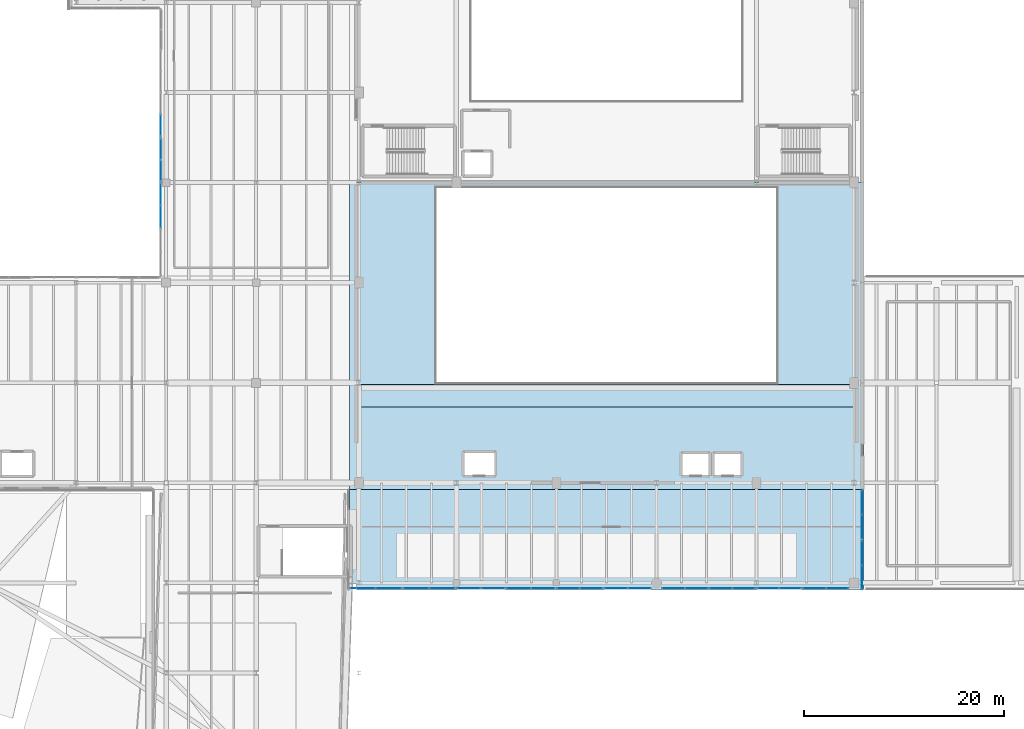
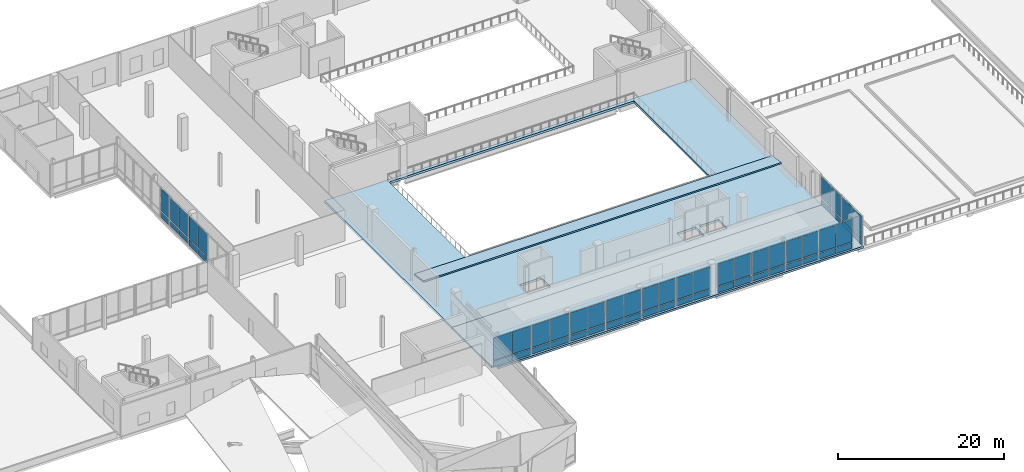
# One storey, part 26 of 41: 58 plates, 3 slabs, 15 elements without a shape of their own.
"""IFC4 building model written with IfcOpenShell, lengths in metres."""

import ifcopenshell
import ifcopenshell.guid

model = None  # the IFC model being written
_history = None  # IfcOwnerHistory: only IFC2X3 demands one
_inside = {}  # id of a spatial element -> (the spatial element, [elements in it])
_under = {}  # id of a project, library or spatial element -> (it, [spatial elements below it])
_declared = {}  # id of a project -> (the project, [libraries it declares])
_typed = {}  # id of a type object -> (the type object, [elements of that type])
_made_of = {}  # id of a material, layer set ... -> (it, [elements and type objects made of it])


def new_model(schema):
    """Start an empty IFC model of exactly this schema.

    Asked for "IFC4X3", IfcOpenShell would pick the latest addendum, in which some entities
    have other attributes; the version numbers below select the first issue.
    IFC2X3 requires an IfcOwnerHistory on every rooted entity: one is made here for all.
    """
    global model, _history
    if schema == "IFC4X3":
        model = ifcopenshell.file(schema_version=(4, 3, 0, 0))
    else:
        model = ifcopenshell.file(schema=schema)
    _inside.clear()
    _under.clear()
    _declared.clear()
    _typed.clear()
    _made_of.clear()
    _history = None
    if model.schema == "IFC2X3":
        org = make("IfcOrganization", Name="unknown")
        user = make(
            "IfcPersonAndOrganization",
            ThePerson=make("IfcPerson", FamilyName="unknown"),
            TheOrganization=org,
        )
        app = make(
            "IfcApplication",
            ApplicationDeveloper=org,
            Version="unknown",
            ApplicationFullName="unknown",
            ApplicationIdentifier="unknown",
        )
        _history = make(
            "IfcOwnerHistory",
            OwningUser=user,
            OwningApplication=app,
            ChangeAction="ADDED",
            CreationDate=0,
        )
    return model


def make(cls, **values):
    """One entity of the class cls with the attributes given. An attribute that is None is left unset."""
    return model.create_entity(
        cls, **{name: value for name, value in values.items() if value is not None}
    )


def rooted(cls, **values):
    """An entity with a GlobalId (a new one), such as an element, a storey or a relation."""
    return make(cls, GlobalId=ifcopenshell.guid.new(), OwnerHistory=_history, **values)


def si_unit(unit_type, name, prefix=None):
    """IfcSIUnit, for example si_unit("LENGTHUNIT", "METRE", prefix="MILLI")."""
    return make("IfcSIUnit", UnitType=unit_type, Prefix=prefix, Name=name)


def assignment(units):
    """IfcUnitAssignment: the units of a project."""
    return None if units is None else make("IfcUnitAssignment", Units=units)


def point(xyz):
    """IfcCartesianPoint."""
    return None if xyz is None else make("IfcCartesianPoint", Coordinates=xyz)


def direction(xyz):
    """IfcDirection."""
    return None if xyz is None else make("IfcDirection", DirectionRatios=xyz)


def frame(location, z_axis=None, x_axis=None):
    """IfcAxis2Placement3D, a coordinate frame: its origin and axes. An axis left out is left unset."""
    return make(
        "IfcAxis2Placement3D",
        Location=point(location),
        Axis=direction(z_axis),
        RefDirection=direction(x_axis),
    )


def frame_2d(location, x_axis=None):
    """IfcAxis2Placement2D, a coordinate frame in the plane: its origin and x axis."""
    return make(
        "IfcAxis2Placement2D", Location=point(location), RefDirection=direction(x_axis)
    )


def origin():
    """The frame at (0, 0, 0) with its axes left unset."""
    return frame((0.0, 0.0, 0.0))


def origin_2d():
    """The frame at (0, 0) in the plane with its x axis left unset."""
    return frame_2d((0.0, 0.0))


def place(relative_to, where):
    """IfcLocalPlacement: puts the frame where relative to a parent placement (None: the world)."""
    return make(
        "IfcLocalPlacement", PlacementRelTo=relative_to, RelativePlacement=where
    )


def context(
    kind, dimensions, precision=None, world=None, true_north=None, identifier=None
):
    """IfcGeometricRepresentationContext, for example the 3D "Model" context."""
    return make(
        "IfcGeometricRepresentationContext",
        ContextIdentifier=identifier,
        ContextType=kind,
        CoordinateSpaceDimension=dimensions,
        Precision=precision,
        WorldCoordinateSystem=world,
        TrueNorth=true_north,
    )


def subcontext(parent, identifier, kind, view, scale=None):
    """IfcGeometricRepresentationSubContext, for example "Body" below "Model"."""
    return make(
        "IfcGeometricRepresentationSubContext",
        ContextIdentifier=identifier,
        ContextType=kind,
        ParentContext=parent,
        TargetScale=scale,
        TargetView=view,
    )


def project(units=None, contexts=None):
    """IfcProject with its units and contexts."""
    return rooted(
        "IfcProject",
        Name="project",
        RepresentationContexts=contexts,
        UnitsInContext=assignment(units),
    )


def spatial(cls, under=None, at=None, **own):
    """A site, building, storey or space (cls), placed at a placement, below another one or the project."""
    s = rooted(cls, ObjectPlacement=at, **own)
    if under is not None:
        _under.setdefault(under.id(), (under, []))[1].append(s)
    return s


def polyline(points):
    """IfcPolyline through the points."""
    return make("IfcPolyline", Points=[point(p) for p in points])


def profile(cls, at=None, kind="AREA", **sizes):
    """A parametric profile (cls). Its sizes go by their IFC names, for example OverallWidth=200.0."""
    return make(cls, ProfileType=kind, Position=at, **sizes)


def rectangle(**sizes):
    """IfcRectangleProfileDef."""
    return profile("IfcRectangleProfileDef", **sizes)


def outline(outer, holes=None, kind="AREA"):
    """IfcArbitraryClosedProfileDef: a profile drawn as a closed curve; with holes, ...WithVoids."""
    if holes is None:
        return make("IfcArbitraryClosedProfileDef", ProfileType=kind, OuterCurve=outer)
    return make(
        "IfcArbitraryProfileDefWithVoids",
        ProfileType=kind,
        OuterCurve=outer,
        InnerCurves=holes,
    )


def extrude(swept, where, along, depth):
    """IfcExtrudedAreaSolid: the profile swept, set in the frame where, extruded along a direction by depth."""
    return make(
        "IfcExtrudedAreaSolid",
        SweptArea=swept,
        Position=where,
        ExtrudedDirection=direction(along),
        Depth=depth,
    )


def shape(context_of_items, identifier, shape_type, items):
    """IfcShapeRepresentation: the items that make up one representation, for example the "Body"."""
    return make(
        "IfcShapeRepresentation",
        ContextOfItems=context_of_items,
        RepresentationIdentifier=identifier,
        RepresentationType=shape_type,
        Items=items,
    )


def material(Name=None, Category=None):
    """IfcMaterial."""
    return make("IfcMaterial", Name=Name, Category=Category)


def layer(
    of_material, thickness, ventilated=None, Name=None, Category=None, Priority=None
):
    """IfcMaterialLayer: one layer of a wall or slab, of a material (None: an air gap)."""
    return make(
        "IfcMaterialLayer",
        Material=of_material,
        LayerThickness=thickness,
        IsVentilated=ventilated,
        Name=Name,
        Category=Category,
        Priority=Priority,
    )


def layer_set(layers, Name=None):
    """IfcMaterialLayerSet."""
    return make("IfcMaterialLayerSet", MaterialLayers=layers, LayerSetName=Name)


def made_of(thing, what):
    """Note that an element or type object is made of a material, layer set ...; save() writes the relation."""
    if what is not None:
        _made_of.setdefault(what.id(), (what, []))[1].append(thing)
    return thing


def type_object(cls, material=None, **own):
    """A type object (cls), such as IfcWallType, which elements share."""
    return made_of(rooted(cls, **own), material)


def element(
    cls,
    number,
    at=None,
    inside=None,
    cuts=None,
    type_object=None,
    material=None,
    context=None,
    identifier="Body",
    shape_type=None,
    held_by="IfcProductDefinitionShape",
    body=None,
    shapes=None,
    **own,
):
    """One element of the class cls, such as IfcWall. Its Tag is "e" and its number.

    at: its placement. inside: the storey or other place that contains it. cuts: it is an
    opening in that element (IfcRelVoidsElement). A single representation is given by context,
    identifier, shape_type and body (its items); several are given by shapes. held_by: the class
    of the entity that holds the representations. save() writes the other relations.
    """
    e = rooted(cls, Tag="e%d" % number, ObjectPlacement=at, **own)
    if body is not None:
        shapes = [shape(context, identifier, shape_type, body)]
    if shapes is not None:
        e.Representation = make(held_by, Representations=shapes)
    if inside is not None:
        _inside.setdefault(inside.id(), (inside, []))[1].append(e)
    if cuts is not None:
        rooted(
            "IfcRelVoidsElement", RelatingBuildingElement=cuts, RelatedOpeningElement=e
        )
    if type_object is not None:
        _typed.setdefault(type_object.id(), (type_object, []))[1].append(e)
    return made_of(e, material)


def aggregate(whole, parts):
    """IfcRelAggregates: a whole, such as a stair, and the parts it consists of."""
    return rooted("IfcRelAggregates", RelatingObject=whole, RelatedObjects=parts)


def save(model, path):
    """Write the relations noted so far, then the file.

    IfcRelAggregates (storeys below a building ...), IfcRelContainedInSpatialStructure (elements
    in a storey), IfcRelDefinesByType, IfcRelAssociatesMaterial and IfcRelDeclares: one each for
    every whole, place, type object, material and project.
    """
    for whole, parts in _under.values():
        aggregate(whole, parts)
    for where, things in _inside.values():
        rooted(
            "IfcRelContainedInSpatialStructure",
            RelatedElements=things,
            RelatingStructure=where,
        )
    for kind, things in _typed.values():
        rooted("IfcRelDefinesByType", RelatedObjects=things, RelatingType=kind)
    for what, things in _made_of.values():
        rooted("IfcRelAssociatesMaterial", RelatedObjects=things, RelatingMaterial=what)
    for by, libraries in _declared.values():
        rooted("IfcRelDeclares", RelatingContext=by, RelatedDefinitions=libraries)
    model.write(path)


model = new_model("IFC4")

# Units and contexts
model_context = context("Model", 3, precision=1e-05, world=origin(), true_north=direction((0.0, 1.0)))
body_context = subcontext(model_context, "Body", "Model", "MODEL_VIEW")
ifc_project = project(units=[si_unit("LENGTHUNIT", "METRE"), si_unit("AREAUNIT", "SQUARE_METRE"), si_unit("VOLUMEUNIT", "CUBIC_METRE"), si_unit("PLANEANGLEUNIT", "RADIAN"), si_unit("MASSUNIT", "GRAM", prefix="KILO")], contexts=[model_context])

# Site, building, storey
site_placement = place(None, origin())
site = spatial("IfcSite", under=ifc_project, at=site_placement, CompositionType="ELEMENT")
building_placement = place(site_placement, origin())
building = spatial("IfcBuilding", under=site, at=building_placement, Name="Trimount Lyric Opera House", CompositionType="ELEMENT")
storey_placement = place(building_placement, frame((0.0, 0.0, 20.0)))
storey = spatial("IfcBuildingStorey", under=building, at=storey_placement, Name="L04", CompositionType="ELEMENT", Elevation=20.0)

# Curtain wall, plates
ifc_material_1 = material(Name="Thermally Broken Aluminium and Low-E Glass", Category="aluminium")
curtain_wall_type_1 = type_object("IfcCurtainWallType", Name="CW-03", PredefinedType="NOTDEFINED", material=ifc_material_1)
curtain_wall_1_placement = place(storey_placement, origin())
curtain_wall_1 = element("IfcCurtainWall", 1, at=curtain_wall_1_placement, inside=storey, type_object=curtain_wall_type_1, Name="L04 curtain wall 314", PredefinedType="NOTDEFINED")
ifc_material_2 = material(Name="Triple Low-E Acoustic Laminated Glass", Category="glass")
ifc_layer_1 = layer(ifc_material_2, 0.035888671875)
ifc_layer_set_1 = layer_set([ifc_layer_1], Name="CWP-01")
plate_type_1 = type_object("IfcPlateType", Name="CWP-01", PredefinedType="CURTAIN_PANEL", material=ifc_layer_set_1)
plate_1_placement = place(storey_placement, frame((44.4599609375, 80.58740234375, 0.114990234375), z_axis=(0.0, 0.0, 1.0), x_axis=(0.0, 1.0, 0.0)))
plate_1 = element("IfcPlate", 2, at=plate_1_placement, type_object=plate_type_1, Name="CW-03 panel 1.1", PredefinedType="CURTAIN_PANEL", context=body_context, shape_type="SweptSolid", body=[
    extrude(rectangle(XDim=2.195068359375, YDim=0.035888671875, at=origin_2d()), origin(), (0.0, 0.0, 1.0), 0.87744140625),
])
plate_2_placement = place(storey_placement, frame((44.4599609375, 82.842529296875, 0.114990234375), z_axis=(0.0, 0.0, 1.0), x_axis=(0.0, 1.0, 0.0)))
plate_2 = element("IfcPlate", 3, at=plate_2_placement, type_object=plate_type_1, Name="CW-03 panel 2.1", PredefinedType="CURTAIN_PANEL", context=body_context, shape_type="SweptSolid", body=[
    extrude(rectangle(XDim=2.195068359375, YDim=0.035888671875, at=origin_2d()), origin(), (0.0, 0.0, 1.0), 0.87744140625),
])

curtain_wall_2_placement = place(storey_placement, origin())
curtain_wall_2 = element("IfcCurtainWall", 4, at=curtain_wall_2_placement, inside=storey, type_object=curtain_wall_type_1, Name="L04 curtain wall 315", PredefinedType="NOTDEFINED")
plate_3_placement = place(storey_placement, frame((44.4599609375, 85.2099609375, 0.159912109375), z_axis=(0.0, 0.0, 1.0), x_axis=(0.0, 1.0, 0.0)))
plate_3 = element("IfcPlate", 5, at=plate_3_placement, type_object=plate_type_1, Name="CW-03 panel 1.1", PredefinedType="CURTAIN_PANEL", context=body_context, shape_type="SweptSolid", body=[
    extrude(rectangle(XDim=2.10009765625, YDim=0.035888671875, at=origin_2d()), origin(), (0.0, 0.0, 1.0), 0.81005859375),
])
plate_4_placement = place(storey_placement, frame((44.4599609375, 87.3798828125, 0.159912109375), z_axis=(0.0, 0.0, 1.0), x_axis=(0.0, 1.0, 0.0)))
plate_4 = element("IfcPlate", 6, at=plate_4_placement, type_object=plate_type_1, Name="CW-03 panel 2.1", PredefinedType="CURTAIN_PANEL", context=body_context, shape_type="SweptSolid", body=[
    extrude(rectangle(XDim=2.10009765625, YDim=0.035888671875, at=origin_2d()), origin(), (0.0, 0.0, 1.0), 0.81005859375),
])

# Curtain wall, plate
curtain_wall_3_placement = place(storey_placement, origin())
curtain_wall_3 = element("IfcCurtainWall", 7, at=curtain_wall_3_placement, inside=storey, type_object=curtain_wall_type_1, Name="L04 curtain wall 316", PredefinedType="NOTDEFINED")
plate_5_placement = place(storey_placement, frame((44.4599609375, 89.708740234375, 0.13525390625), z_axis=(0.0, 0.0, 1.0), x_axis=(0.0, 1.0, 0.0)))
plate_5 = element("IfcPlate", 8, at=plate_5_placement, type_object=plate_type_1, Name="CW-03 panel 1.1", PredefinedType="CURTAIN_PANEL", context=body_context, shape_type="SweptSolid", body=[
    extrude(rectangle(XDim=2.107421875, YDim=0.035888671875, at=origin_2d()), origin(), (0.0, 0.0, 1.0), 0.847412109375),
])

# Curtain wall, plates
ifc_material_3 = material(Name="Thermally Broken Aluminium and Low-E Glass", Category="aluminium")
curtain_wall_type_2 = type_object("IfcCurtainWallType", Name="CW-05", PredefinedType="NOTDEFINED", material=ifc_material_3)
curtain_wall_4_placement = place(storey_placement, origin())
curtain_wall_4 = element("IfcCurtainWall", 9, at=curtain_wall_4_placement, inside=storey, type_object=curtain_wall_type_2, Name="L04 curtain wall 321", PredefinedType="NOTDEFINED")
plate_6_placement = place(storey_placement, frame((114.5400390625, 52.052490234375, 0.159912109375), z_axis=(0.0, 0.0, 1.0), x_axis=(0.0, -1.0, 0.0)))
plate_6 = element("IfcPlate", 10, at=plate_6_placement, type_object=plate_type_1, Name="CW-05 panel 1.1", PredefinedType="CURTAIN_PANEL", context=body_context, shape_type="SweptSolid", body=[
    extrude(rectangle(XDim=2.39501953125, YDim=0.035888671875, at=origin_2d()), origin(), (0.0, 0.0, 1.0), 0.81005859375),
])
plate_7_placement = place(storey_placement, frame((114.5400390625, 49.58740234375, 0.159912109375), z_axis=(0.0, 0.0, 1.0), x_axis=(0.0, -1.0, 0.0)))
plate_7 = element("IfcPlate", 11, at=plate_7_placement, type_object=plate_type_1, Name="CW-05 panel 2.1", PredefinedType="CURTAIN_PANEL", context=body_context, shape_type="SweptSolid", body=[
    extrude(rectangle(XDim=2.39501953125, YDim=0.035888671875, at=origin_2d()), origin(), (0.0, 0.0, 1.0), 0.81005859375),
])

curtain_wall_5_placement = place(storey_placement, origin())
curtain_wall_5 = element("IfcCurtainWall", 12, at=curtain_wall_5_placement, inside=storey, type_object=curtain_wall_type_2, Name="L04 curtain wall 322", PredefinedType="NOTDEFINED")
plate_8_placement = place(storey_placement, frame((114.5400390625, 46.986328125, 0.13525390625), z_axis=(0.0, 0.0, 1.0), x_axis=(0.0, -1.0, 0.0)))
plate_8 = element("IfcPlate", 13, at=plate_8_placement, type_object=plate_type_1, Name="CW-05 panel 1.1", PredefinedType="CURTAIN_PANEL", context=body_context, shape_type="SweptSolid", body=[
    extrude(rectangle(XDim=2.357421875, YDim=0.035888671875, at=origin_2d()), origin(), (0.0, 0.0, 1.0), 0.847412109375),
])
plate_9_placement = place(storey_placement, frame((114.5400390625, 44.563720703125, 0.13525390625), z_axis=(0.0, 0.0, 1.0), x_axis=(0.0, -1.0, 0.0)))
plate_9 = element("IfcPlate", 14, at=plate_9_placement, type_object=plate_type_1, Name="CW-05 panel 2.1", PredefinedType="CURTAIN_PANEL", context=body_context, shape_type="SweptSolid", body=[
    extrude(rectangle(XDim=2.357421875, YDim=0.035888671875, at=origin_2d()), origin(), (0.0, 0.0, 1.0), 0.847412109375),
])

curtain_wall_6_placement = place(storey_placement, origin())
curtain_wall_6 = element("IfcCurtainWall", 15, at=curtain_wall_6_placement, inside=storey, type_object=curtain_wall_type_2, Name="L04 curtain wall 323", PredefinedType="NOTDEFINED")
plate_10_placement = place(storey_placement, frame((112.070068359375, 43.4599609375, 0.114990234375), z_axis=(0.0, 0.0, 1.0), x_axis=(-1.0, 0.0, 0.0)))
plate_10 = element("IfcPlate", 16, at=plate_10_placement, type_object=plate_type_1, Name="CW-05 panel 1.1", PredefinedType="CURTAIN_PANEL", context=body_context, shape_type="SweptSolid", body=[
    extrude(rectangle(XDim=2.219970703125, YDim=0.035888671875, at=origin_2d()), origin(), (0.0, 0.0, 1.0), 0.87744140625),
])
plate_11_placement = place(storey_placement, frame((109.7900390625, 43.4599609375, 0.114990234375), z_axis=(0.0, 0.0, 1.0), x_axis=(-1.0, 0.0, 0.0)))
plate_11 = element("IfcPlate", 17, at=plate_11_placement, type_object=plate_type_1, Name="CW-05 panel 2.1", PredefinedType="CURTAIN_PANEL", context=body_context, shape_type="SweptSolid", body=[
    extrude(rectangle(XDim=2.219970703125, YDim=0.035888671875, at=origin_2d()), origin(), (0.0, 0.0, 1.0), 0.87744140625),
])

curtain_wall_7_placement = place(storey_placement, origin())
curtain_wall_7 = element("IfcCurtainWall", 18, at=curtain_wall_7_placement, inside=storey, type_object=curtain_wall_type_2, Name="L04 curtain wall 324", PredefinedType="NOTDEFINED")
plate_12_placement = place(storey_placement, frame((107.3798828125, 43.4599609375, 0.159912109375), z_axis=(0.0, 0.0, 1.0), x_axis=(-1.0, 0.0, 0.0)))
plate_12 = element("IfcPlate", 19, at=plate_12_placement, type_object=plate_type_1, Name="CW-05 panel 1.1", PredefinedType="CURTAIN_PANEL", context=body_context, shape_type="SweptSolid", body=[
    extrude(rectangle(XDim=2.159912109375, YDim=0.035888671875, at=origin_2d()), origin(), (0.0, 0.0, 1.0), 0.81005859375),
])
plate_13_placement = place(storey_placement, frame((105.14990234375, 43.4599609375, 0.159912109375), z_axis=(0.0, 0.0, 1.0), x_axis=(-1.0, 0.0, 0.0)))
plate_13 = element("IfcPlate", 20, at=plate_13_placement, type_object=plate_type_1, Name="CW-05 panel 2.1", PredefinedType="CURTAIN_PANEL", context=body_context, shape_type="SweptSolid", body=[
    extrude(rectangle(XDim=2.159912109375, YDim=0.035888671875, at=origin_2d()), origin(), (0.0, 0.0, 1.0), 0.81005859375),
])

curtain_wall_8_placement = place(storey_placement, origin())
curtain_wall_8 = element("IfcCurtainWall", 21, at=curtain_wall_8_placement, inside=storey, type_object=curtain_wall_type_2, Name="L04 curtain wall 325", PredefinedType="NOTDEFINED")
plate_14_placement = place(storey_placement, frame((102.728759765625, 43.4599609375, 0.13525390625), z_axis=(0.0, 0.0, 1.0), x_axis=(-1.0, 0.0, 0.0)))
plate_14 = element("IfcPlate", 22, at=plate_14_placement, type_object=plate_type_1, Name="CW-05 panel 1.1", PredefinedType="CURTAIN_PANEL", context=body_context, shape_type="SweptSolid", body=[
    extrude(rectangle(XDim=2.232421875, YDim=0.035888671875, at=origin_2d()), origin(), (0.0, 0.0, 1.0), 0.847412109375),
])
plate_15_placement = place(storey_placement, frame((100.43115234375, 43.4599609375, 0.13525390625), z_axis=(0.0, 0.0, 1.0), x_axis=(-1.0, 0.0, 0.0)))
plate_15 = element("IfcPlate", 23, at=plate_15_placement, type_object=plate_type_1, Name="CW-05 panel 2.1", PredefinedType="CURTAIN_PANEL", context=body_context, shape_type="SweptSolid", body=[
    extrude(rectangle(XDim=2.232421875, YDim=0.035888671875, at=origin_2d()), origin(), (0.0, 0.0, 1.0), 0.847412109375),
])

curtain_wall_9_placement = place(storey_placement, origin())
curtain_wall_9 = element("IfcCurtainWall", 24, at=curtain_wall_9_placement, inside=storey, type_object=curtain_wall_type_2, Name="L04 curtain wall 326", PredefinedType="NOTDEFINED")
plate_16_placement = place(storey_placement, frame((97.97998046875, 43.4599609375, 0.114990234375), z_axis=(0.0, 0.0, 1.0), x_axis=(-1.0, 0.0, 0.0)))
plate_16 = element("IfcPlate", 25, at=plate_16_placement, type_object=plate_type_1, Name="CW-05 panel 1.1", PredefinedType="CURTAIN_PANEL", context=body_context, shape_type="SweptSolid", body=[
    extrude(rectangle(XDim=2.239990234375, YDim=0.035888671875, at=origin_2d()), origin(), (0.0, 0.0, 1.0), 0.87744140625),
])
plate_17_placement = place(storey_placement, frame((95.679931640625, 43.4599609375, 0.114990234375), z_axis=(0.0, 0.0, 1.0), x_axis=(-1.0, 0.0, 0.0)))
plate_17 = element("IfcPlate", 26, at=plate_17_placement, type_object=plate_type_1, Name="CW-05 panel 2.1", PredefinedType="CURTAIN_PANEL", context=body_context, shape_type="SweptSolid", body=[
    extrude(rectangle(XDim=2.239990234375, YDim=0.035888671875, at=origin_2d()), origin(), (0.0, 0.0, 1.0), 0.87744140625),
])

curtain_wall_10_placement = place(storey_placement, origin())
curtain_wall_10 = element("IfcCurtainWall", 27, at=curtain_wall_10_placement, inside=storey, type_object=curtain_wall_type_2, Name="L04 curtain wall 327", PredefinedType="NOTDEFINED")
plate_18_placement = place(storey_placement, frame((92.294921875, 43.4599609375, 0.159912109375), z_axis=(0.0, 0.0, 1.0), x_axis=(-1.0, 0.0, 0.0)))
plate_18 = element("IfcPlate", 28, at=plate_18_placement, type_object=plate_type_1, Name="CW-05 panel 1.1", PredefinedType="CURTAIN_PANEL", context=body_context, shape_type="SweptSolid", body=[
    extrude(rectangle(XDim=2.27001953125, YDim=0.035888671875, at=origin_2d()), origin(), (0.0, 0.0, 1.0), 0.81005859375),
])
plate_19_placement = place(storey_placement, frame((89.955078125, 43.4599609375, 0.159912109375), z_axis=(0.0, 0.0, 1.0), x_axis=(-1.0, 0.0, 0.0)))
plate_19 = element("IfcPlate", 29, at=plate_19_placement, type_object=plate_type_1, Name="CW-05 panel 2.1", PredefinedType="CURTAIN_PANEL", context=body_context, shape_type="SweptSolid", body=[
    extrude(rectangle(XDim=2.27001953125, YDim=0.035888671875, at=origin_2d()), origin(), (0.0, 0.0, 1.0), 0.81005859375),
])

curtain_wall_11_placement = place(storey_placement, origin())
curtain_wall_11 = element("IfcCurtainWall", 30, at=curtain_wall_11_placement, inside=storey, type_object=curtain_wall_type_2, Name="L04 curtain wall 328", PredefinedType="NOTDEFINED")
plate_20_placement = place(storey_placement, frame((87.478759765625, 43.4599609375, 0.13525390625), z_axis=(0.0, 0.0, 1.0), x_axis=(-1.0, 0.0, 0.0)))
plate_20 = element("IfcPlate", 31, at=plate_20_placement, type_object=plate_type_1, Name="CW-05 panel 1.1", PredefinedType="CURTAIN_PANEL", context=body_context, shape_type="SweptSolid", body=[
    extrude(rectangle(XDim=2.232421875, YDim=0.035888671875, at=origin_2d()), origin(), (0.0, 0.0, 1.0), 0.847412109375),
])
plate_21_placement = place(storey_placement, frame((85.18115234375, 43.4599609375, 0.13525390625), z_axis=(0.0, 0.0, 1.0), x_axis=(-1.0, 0.0, 0.0)))
plate_21 = element("IfcPlate", 32, at=plate_21_placement, type_object=plate_type_1, Name="CW-05 panel 2.1", PredefinedType="CURTAIN_PANEL", context=body_context, shape_type="SweptSolid", body=[
    extrude(rectangle(XDim=2.232421875, YDim=0.035888671875, at=origin_2d()), origin(), (0.0, 0.0, 1.0), 0.847412109375),
])

curtain_wall_12_placement = place(storey_placement, origin())
curtain_wall_12 = element("IfcCurtainWall", 33, at=curtain_wall_12_placement, inside=storey, type_object=curtain_wall_type_2, Name="L04 curtain wall 329", PredefinedType="NOTDEFINED")
plate_22_placement = place(storey_placement, frame((82.66748046875, 43.4599609375, 0.114990234375), z_axis=(0.0, 0.0, 1.0), x_axis=(-1.0, 0.0, 0.0)))
plate_22 = element("IfcPlate", 34, at=plate_22_placement, type_object=plate_type_1, Name="CW-05 panel 1.1", PredefinedType="CURTAIN_PANEL", context=body_context, shape_type="SweptSolid", body=[
    extrude(rectangle(XDim=2.364990234375, YDim=0.035888671875, at=origin_2d()), origin(), (0.0, 0.0, 1.0), 0.87744140625),
])
plate_23_placement = place(storey_placement, frame((80.242431640625, 43.4599609375, 0.114990234375), z_axis=(0.0, 0.0, 1.0), x_axis=(-1.0, 0.0, 0.0)))
plate_23 = element("IfcPlate", 35, at=plate_23_placement, type_object=plate_type_1, Name="CW-05 panel 2.1", PredefinedType="CURTAIN_PANEL", context=body_context, shape_type="SweptSolid", body=[
    extrude(rectangle(XDim=2.364990234375, YDim=0.035888671875, at=origin_2d()), origin(), (0.0, 0.0, 1.0), 0.87744140625),
])

curtain_wall_13_placement = place(storey_placement, origin())
curtain_wall_13 = element("IfcCurtainWall", 36, at=curtain_wall_13_placement, inside=storey, type_object=curtain_wall_type_2, Name="L04 curtain wall 330", PredefinedType="NOTDEFINED")
plate_24_placement = place(storey_placement, frame((77.6650390625, 43.4599609375, 0.159912109375), z_axis=(0.0, 0.0, 1.0), x_axis=(-1.0, 0.0, 0.0)))
plate_24 = element("IfcPlate", 37, at=plate_24_placement, type_object=plate_type_1, Name="CW-05 panel 1.1", PredefinedType="CURTAIN_PANEL", context=body_context, shape_type="SweptSolid", body=[
    extrude(rectangle(XDim=2.35009765625, YDim=0.035888671875, at=origin_2d()), origin(), (0.0, 0.0, 1.0), 0.81005859375),
])
plate_25_placement = place(storey_placement, frame((75.2451171875, 43.4599609375, 0.159912109375), z_axis=(0.0, 0.0, 1.0), x_axis=(-1.0, 0.0, 0.0)))
plate_25 = element("IfcPlate", 38, at=plate_25_placement, type_object=plate_type_1, Name="CW-05 panel 2.1", PredefinedType="CURTAIN_PANEL", context=body_context, shape_type="SweptSolid", body=[
    extrude(rectangle(XDim=2.35009765625, YDim=0.035888671875, at=origin_2d()), origin(), (0.0, 0.0, 1.0), 0.81005859375),
])

curtain_wall_14_placement = place(storey_placement, origin())
curtain_wall_14 = element("IfcCurtainWall", 39, at=curtain_wall_14_placement, inside=storey, type_object=curtain_wall_type_2, Name="L04 curtain wall 331", PredefinedType="NOTDEFINED")
plate_26_placement = place(storey_placement, frame((72.581298828125, 43.4599609375, 0.13525390625), z_axis=(0.0, 0.0, 1.0), x_axis=(-1.0, 0.0, 0.0)))
plate_26 = element("IfcPlate", 40, at=plate_26_placement, type_object=plate_type_1, Name="CW-05 panel 1.1", PredefinedType="CURTAIN_PANEL", context=body_context, shape_type="SweptSolid", body=[
    extrude(rectangle(XDim=2.527587890625, YDim=0.035888671875, at=origin_2d()), origin(), (0.0, 0.0, 1.0), 0.847412109375),
])
plate_27_placement = place(storey_placement, frame((69.98876953125, 43.4599609375, 0.13525390625), z_axis=(0.0, 0.0, 1.0), x_axis=(-1.0, 0.0, 0.0)))
plate_27 = element("IfcPlate", 41, at=plate_27_placement, type_object=plate_type_1, Name="CW-05 panel 2.1", PredefinedType="CURTAIN_PANEL", context=body_context, shape_type="SweptSolid", body=[
    extrude(rectangle(XDim=2.527587890625, YDim=0.035888671875, at=origin_2d()), origin(), (0.0, 0.0, 1.0), 0.847412109375),
])

curtain_wall_15_placement = place(storey_placement, origin())
curtain_wall_15 = element("IfcCurtainWall", 42, at=curtain_wall_15_placement, inside=storey, type_object=curtain_wall_type_2, Name="L04 curtain wall 332", PredefinedType="NOTDEFINED")
plate_28_placement = place(storey_placement, frame((67.242431640625, 43.4599609375, 0.114990234375), z_axis=(0.0, 0.0, 1.0), x_axis=(-1.0, 0.0, 0.0)))
plate_28 = element("IfcPlate", 43, at=plate_28_placement, type_object=plate_type_1, Name="CW-05 panel 1.1", PredefinedType="CURTAIN_PANEL", context=body_context, shape_type="SweptSolid", body=[
    extrude(rectangle(XDim=2.534912109375, YDim=0.035888671875, at=origin_2d()), origin(), (0.0, 0.0, 1.0), 0.87744140625),
])
plate_29_placement = place(storey_placement, frame((64.6474609375, 43.4599609375, 0.114990234375), z_axis=(0.0, 0.0, 1.0), x_axis=(-1.0, 0.0, 0.0)))
plate_29 = element("IfcPlate", 44, at=plate_29_placement, type_object=plate_type_1, Name="CW-05 panel 2.1", PredefinedType="CURTAIN_PANEL", context=body_context, shape_type="SweptSolid", body=[
    extrude(rectangle(XDim=2.534912109375, YDim=0.035888671875, at=origin_2d()), origin(), (0.0, 0.0, 1.0), 0.87744140625),
])

# Plate
ifc_material_4 = material(Name="Insulated Aluminium Shadow-Box Spandrel Panel", Category="aluminium")
ifc_layer_2 = layer(ifc_material_4, 0.0419921875)
ifc_layer_set_2 = layer_set([ifc_layer_2], Name="CWP-04")
plate_type_2 = type_object("IfcPlateType", Name="CWP-04", PredefinedType="CURTAIN_PANEL", material=ifc_layer_set_2)
plate_30_placement = place(storey_placement, frame((44.4599609375, 80.58740234375, 1.107666015625), z_axis=(0.0, 0.0, 1.0), x_axis=(0.0, 1.0, 0.0)))
plate_30 = element("IfcPlate", 45, at=plate_30_placement, type_object=plate_type_2, Name="CW-03 panel 1.2", PredefinedType="CURTAIN_PANEL", context=body_context, shape_type="SweptSolid", body=[
    extrude(rectangle(XDim=2.195068359375, YDim=0.035888671875, at=origin_2d()), origin(), (0.0, 0.0, 1.0), 3.3173828125),
])

plate_31_placement = place(storey_placement, frame((44.4599609375, 82.842529296875, 1.107666015625), z_axis=(0.0, 0.0, 1.0), x_axis=(0.0, 1.0, 0.0)))
plate_31 = element("IfcPlate", 46, at=plate_31_placement, type_object=plate_type_2, Name="CW-03 panel 2.2", PredefinedType="CURTAIN_PANEL", context=body_context, shape_type="SweptSolid", body=[
    extrude(rectangle(XDim=2.195068359375, YDim=0.035888671875, at=origin_2d()), origin(), (0.0, 0.0, 1.0), 3.3173828125),
])

aggregate(curtain_wall_1, [plate_1, plate_30, plate_2, plate_31])

plate_32_placement = place(storey_placement, frame((44.4599609375, 85.2099609375, 1.1298828125), z_axis=(0.0, 0.0, 1.0), x_axis=(0.0, 1.0, 0.0)))
plate_32 = element("IfcPlate", 47, at=plate_32_placement, type_object=plate_type_2, Name="CW-03 panel 1.2", PredefinedType="CURTAIN_PANEL", context=body_context, shape_type="SweptSolid", body=[
    extrude(rectangle(XDim=2.10009765625, YDim=0.035888671875, at=origin_2d()), origin(), (0.0, 0.0, 1.0), 3.25),
])

plate_33_placement = place(storey_placement, frame((44.4599609375, 87.3798828125, 1.1298828125), z_axis=(0.0, 0.0, 1.0), x_axis=(0.0, 1.0, 0.0)))
plate_33 = element("IfcPlate", 48, at=plate_33_placement, type_object=plate_type_2, Name="CW-03 panel 2.2", PredefinedType="CURTAIN_PANEL", context=body_context, shape_type="SweptSolid", body=[
    extrude(rectangle(XDim=2.10009765625, YDim=0.035888671875, at=origin_2d()), origin(), (0.0, 0.0, 1.0), 3.25),
])

aggregate(curtain_wall_2, [plate_3, plate_32, plate_4, plate_33])

plate_34_placement = place(storey_placement, frame((44.4599609375, 89.708740234375, 1.117431640625), z_axis=(0.0, 0.0, 1.0), x_axis=(0.0, 1.0, 0.0)))
plate_34 = element("IfcPlate", 49, at=plate_34_placement, type_object=plate_type_2, Name="CW-03 panel 1.2", PredefinedType="CURTAIN_PANEL", context=body_context, shape_type="SweptSolid", body=[
    extrude(rectangle(XDim=2.107421875, YDim=0.035888671875, at=origin_2d()), origin(), (0.0, 0.0, 1.0), 3.28759765625),
])

aggregate(curtain_wall_3, [plate_5, plate_34])

plate_35_placement = place(storey_placement, frame((114.5400390625, 52.052490234375, 1.130126953125), z_axis=(0.0, 0.0, 1.0), x_axis=(0.0, -1.0, 0.0)))
plate_35 = element("IfcPlate", 50, at=plate_35_placement, type_object=plate_type_2, Name="CW-05 panel 1.2", PredefinedType="CURTAIN_PANEL", context=body_context, shape_type="SweptSolid", body=[
    extrude(rectangle(XDim=2.39501953125, YDim=0.035888671875, at=origin_2d()), origin(), (0.0, 0.0, 1.0), 3.2099609375),
])

plate_36_placement = place(storey_placement, frame((114.5400390625, 49.58740234375, 1.130126953125), z_axis=(0.0, 0.0, 1.0), x_axis=(0.0, -1.0, 0.0)))
plate_36 = element("IfcPlate", 51, at=plate_36_placement, type_object=plate_type_2, Name="CW-05 panel 2.2", PredefinedType="CURTAIN_PANEL", context=body_context, shape_type="SweptSolid", body=[
    extrude(rectangle(XDim=2.39501953125, YDim=0.035888671875, at=origin_2d()), origin(), (0.0, 0.0, 1.0), 3.2099609375),
])

aggregate(curtain_wall_4, [plate_6, plate_35, plate_7, plate_36])

plate_37_placement = place(storey_placement, frame((114.5400390625, 46.986328125, 1.117431640625), z_axis=(0.0, 0.0, 1.0), x_axis=(0.0, -1.0, 0.0)))
plate_37 = element("IfcPlate", 52, at=plate_37_placement, type_object=plate_type_2, Name="CW-05 panel 1.2", PredefinedType="CURTAIN_PANEL", context=body_context, shape_type="SweptSolid", body=[
    extrude(rectangle(XDim=2.357421875, YDim=0.035888671875, at=origin_2d()), origin(), (0.0, 0.0, 1.0), 3.24755859375),
])

plate_38_placement = place(storey_placement, frame((114.5400390625, 44.563720703125, 1.117431640625), z_axis=(0.0, 0.0, 1.0), x_axis=(0.0, -1.0, 0.0)))
plate_38 = element("IfcPlate", 53, at=plate_38_placement, type_object=plate_type_2, Name="CW-05 panel 2.2", PredefinedType="CURTAIN_PANEL", context=body_context, shape_type="SweptSolid", body=[
    extrude(rectangle(XDim=2.357421875, YDim=0.035888671875, at=origin_2d()), origin(), (0.0, 0.0, 1.0), 3.24755859375),
])

aggregate(curtain_wall_5, [plate_8, plate_37, plate_9, plate_38])

plate_39_placement = place(storey_placement, frame((112.070068359375, 43.4599609375, 1.107421875), z_axis=(0.0, 0.0, 1.0), x_axis=(-1.0, 0.0, 0.0)))
plate_39 = element("IfcPlate", 54, at=plate_39_placement, type_object=plate_type_2, Name="CW-05 panel 1.2", PredefinedType="CURTAIN_PANEL", context=body_context, shape_type="SweptSolid", body=[
    extrude(rectangle(XDim=2.219970703125, YDim=0.035888671875, at=origin_2d()), origin(), (0.0, 0.0, 1.0), 3.28759765625),
])

plate_40_placement = place(storey_placement, frame((109.7900390625, 43.4599609375, 1.107421875), z_axis=(0.0, 0.0, 1.0), x_axis=(-1.0, 0.0, 0.0)))
plate_40 = element("IfcPlate", 55, at=plate_40_placement, type_object=plate_type_2, Name="CW-05 panel 2.2", PredefinedType="CURTAIN_PANEL", context=body_context, shape_type="SweptSolid", body=[
    extrude(rectangle(XDim=2.219970703125, YDim=0.035888671875, at=origin_2d()), origin(), (0.0, 0.0, 1.0), 3.28759765625),
])

aggregate(curtain_wall_6, [plate_10, plate_39, plate_11, plate_40])

plate_41_placement = place(storey_placement, frame((107.3798828125, 43.4599609375, 1.1298828125), z_axis=(0.0, 0.0, 1.0), x_axis=(-1.0, 0.0, 0.0)))
plate_41 = element("IfcPlate", 56, at=plate_41_placement, type_object=plate_type_2, Name="CW-05 panel 1.2", PredefinedType="CURTAIN_PANEL", context=body_context, shape_type="SweptSolid", body=[
    extrude(rectangle(XDim=2.159912109375, YDim=0.035888671875, at=origin_2d()), origin(), (0.0, 0.0, 1.0), 3.219970703125),
])

plate_42_placement = place(storey_placement, frame((105.14990234375, 43.4599609375, 1.1298828125), z_axis=(0.0, 0.0, 1.0), x_axis=(-1.0, 0.0, 0.0)))
plate_42 = element("IfcPlate", 57, at=plate_42_placement, type_object=plate_type_2, Name="CW-05 panel 2.2", PredefinedType="CURTAIN_PANEL", context=body_context, shape_type="SweptSolid", body=[
    extrude(rectangle(XDim=2.159912109375, YDim=0.035888671875, at=origin_2d()), origin(), (0.0, 0.0, 1.0), 3.219970703125),
])

aggregate(curtain_wall_7, [plate_12, plate_41, plate_13, plate_42])

plate_43_placement = place(storey_placement, frame((102.728759765625, 43.4599609375, 1.11767578125), z_axis=(0.0, 0.0, 1.0), x_axis=(-1.0, 0.0, 0.0)))
plate_43 = element("IfcPlate", 58, at=plate_43_placement, type_object=plate_type_2, Name="CW-05 panel 1.2", PredefinedType="CURTAIN_PANEL", context=body_context, shape_type="SweptSolid", body=[
    extrude(rectangle(XDim=2.232421875, YDim=0.035888671875, at=origin_2d()), origin(), (0.0, 0.0, 1.0), 3.257568359375),
])

plate_44_placement = place(storey_placement, frame((100.43115234375, 43.4599609375, 1.11767578125), z_axis=(0.0, 0.0, 1.0), x_axis=(-1.0, 0.0, 0.0)))
plate_44 = element("IfcPlate", 59, at=plate_44_placement, type_object=plate_type_2, Name="CW-05 panel 2.2", PredefinedType="CURTAIN_PANEL", context=body_context, shape_type="SweptSolid", body=[
    extrude(rectangle(XDim=2.232421875, YDim=0.035888671875, at=origin_2d()), origin(), (0.0, 0.0, 1.0), 3.257568359375),
])

aggregate(curtain_wall_8, [plate_14, plate_43, plate_15, plate_44])

plate_45_placement = place(storey_placement, frame((97.97998046875, 43.4599609375, 1.107421875), z_axis=(0.0, 0.0, 1.0), x_axis=(-1.0, 0.0, 0.0)))
plate_45 = element("IfcPlate", 60, at=plate_45_placement, type_object=plate_type_2, Name="CW-05 panel 1.2", PredefinedType="CURTAIN_PANEL", context=body_context, shape_type="SweptSolid", body=[
    extrude(rectangle(XDim=2.239990234375, YDim=0.035888671875, at=origin_2d()), origin(), (0.0, 0.0, 1.0), 3.28759765625),
])

plate_46_placement = place(storey_placement, frame((95.679931640625, 43.4599609375, 1.107421875), z_axis=(0.0, 0.0, 1.0), x_axis=(-1.0, 0.0, 0.0)))
plate_46 = element("IfcPlate", 61, at=plate_46_placement, type_object=plate_type_2, Name="CW-05 panel 2.2", PredefinedType="CURTAIN_PANEL", context=body_context, shape_type="SweptSolid", body=[
    extrude(rectangle(XDim=2.239990234375, YDim=0.035888671875, at=origin_2d()), origin(), (0.0, 0.0, 1.0), 3.28759765625),
])

aggregate(curtain_wall_9, [plate_16, plate_45, plate_17, plate_46])

plate_47_placement = place(storey_placement, frame((92.294921875, 43.4599609375, 1.1298828125), z_axis=(0.0, 0.0, 1.0), x_axis=(-1.0, 0.0, 0.0)))
plate_47 = element("IfcPlate", 62, at=plate_47_placement, type_object=plate_type_2, Name="CW-05 panel 1.2", PredefinedType="CURTAIN_PANEL", context=body_context, shape_type="SweptSolid", body=[
    extrude(rectangle(XDim=2.27001953125, YDim=0.035888671875, at=origin_2d()), origin(), (0.0, 0.0, 1.0), 3.219970703125),
])

plate_48_placement = place(storey_placement, frame((89.955078125, 43.4599609375, 1.1298828125), z_axis=(0.0, 0.0, 1.0), x_axis=(-1.0, 0.0, 0.0)))
plate_48 = element("IfcPlate", 63, at=plate_48_placement, type_object=plate_type_2, Name="CW-05 panel 2.2", PredefinedType="CURTAIN_PANEL", context=body_context, shape_type="SweptSolid", body=[
    extrude(rectangle(XDim=2.27001953125, YDim=0.035888671875, at=origin_2d()), origin(), (0.0, 0.0, 1.0), 3.219970703125),
])

aggregate(curtain_wall_10, [plate_18, plate_47, plate_19, plate_48])

plate_49_placement = place(storey_placement, frame((87.478759765625, 43.4599609375, 1.11767578125), z_axis=(0.0, 0.0, 1.0), x_axis=(-1.0, 0.0, 0.0)))
plate_49 = element("IfcPlate", 64, at=plate_49_placement, type_object=plate_type_2, Name="CW-05 panel 1.2", PredefinedType="CURTAIN_PANEL", context=body_context, shape_type="SweptSolid", body=[
    extrude(rectangle(XDim=2.232421875, YDim=0.035888671875, at=origin_2d()), origin(), (0.0, 0.0, 1.0), 3.257568359375),
])

plate_50_placement = place(storey_placement, frame((85.18115234375, 43.4599609375, 1.11767578125), z_axis=(0.0, 0.0, 1.0), x_axis=(-1.0, 0.0, 0.0)))
plate_50 = element("IfcPlate", 65, at=plate_50_placement, type_object=plate_type_2, Name="CW-05 panel 2.2", PredefinedType="CURTAIN_PANEL", context=body_context, shape_type="SweptSolid", body=[
    extrude(rectangle(XDim=2.232421875, YDim=0.035888671875, at=origin_2d()), origin(), (0.0, 0.0, 1.0), 3.257568359375),
])

aggregate(curtain_wall_11, [plate_20, plate_49, plate_21, plate_50])

plate_51_placement = place(storey_placement, frame((82.66748046875, 43.4599609375, 1.107421875), z_axis=(0.0, 0.0, 1.0), x_axis=(-1.0, 0.0, 0.0)))
plate_51 = element("IfcPlate", 66, at=plate_51_placement, type_object=plate_type_2, Name="CW-05 panel 1.2", PredefinedType="CURTAIN_PANEL", context=body_context, shape_type="SweptSolid", body=[
    extrude(rectangle(XDim=2.364990234375, YDim=0.035888671875, at=origin_2d()), origin(), (0.0, 0.0, 1.0), 3.28759765625),
])

plate_52_placement = place(storey_placement, frame((80.242431640625, 43.4599609375, 1.107421875), z_axis=(0.0, 0.0, 1.0), x_axis=(-1.0, 0.0, 0.0)))
plate_52 = element("IfcPlate", 67, at=plate_52_placement, type_object=plate_type_2, Name="CW-05 panel 2.2", PredefinedType="CURTAIN_PANEL", context=body_context, shape_type="SweptSolid", body=[
    extrude(rectangle(XDim=2.364990234375, YDim=0.035888671875, at=origin_2d()), origin(), (0.0, 0.0, 1.0), 3.28759765625),
])

aggregate(curtain_wall_12, [plate_22, plate_51, plate_23, plate_52])

plate_53_placement = place(storey_placement, frame((77.6650390625, 43.4599609375, 1.1298828125), z_axis=(0.0, 0.0, 1.0), x_axis=(-1.0, 0.0, 0.0)))
plate_53 = element("IfcPlate", 68, at=plate_53_placement, type_object=plate_type_2, Name="CW-05 panel 1.2", PredefinedType="CURTAIN_PANEL", context=body_context, shape_type="SweptSolid", body=[
    extrude(rectangle(XDim=2.35009765625, YDim=0.035888671875, at=origin_2d()), origin(), (0.0, 0.0, 1.0), 3.219970703125),
])

plate_54_placement = place(storey_placement, frame((75.2451171875, 43.4599609375, 1.1298828125), z_axis=(0.0, 0.0, 1.0), x_axis=(-1.0, 0.0, 0.0)))
plate_54 = element("IfcPlate", 69, at=plate_54_placement, type_object=plate_type_2, Name="CW-05 panel 2.2", PredefinedType="CURTAIN_PANEL", context=body_context, shape_type="SweptSolid", body=[
    extrude(rectangle(XDim=2.35009765625, YDim=0.035888671875, at=origin_2d()), origin(), (0.0, 0.0, 1.0), 3.219970703125),
])

aggregate(curtain_wall_13, [plate_24, plate_53, plate_25, plate_54])

plate_55_placement = place(storey_placement, frame((72.581298828125, 43.4599609375, 1.11767578125), z_axis=(0.0, 0.0, 1.0), x_axis=(-1.0, 0.0, 0.0)))
plate_55 = element("IfcPlate", 70, at=plate_55_placement, type_object=plate_type_2, Name="CW-05 panel 1.2", PredefinedType="CURTAIN_PANEL", context=body_context, shape_type="SweptSolid", body=[
    extrude(rectangle(XDim=2.527587890625, YDim=0.035888671875, at=origin_2d()), origin(), (0.0, 0.0, 1.0), 3.257568359375),
])

plate_56_placement = place(storey_placement, frame((69.98876953125, 43.4599609375, 1.11767578125), z_axis=(0.0, 0.0, 1.0), x_axis=(-1.0, 0.0, 0.0)))
plate_56 = element("IfcPlate", 71, at=plate_56_placement, type_object=plate_type_2, Name="CW-05 panel 2.2", PredefinedType="CURTAIN_PANEL", context=body_context, shape_type="SweptSolid", body=[
    extrude(rectangle(XDim=2.527587890625, YDim=0.035888671875, at=origin_2d()), origin(), (0.0, 0.0, 1.0), 3.257568359375),
])

aggregate(curtain_wall_14, [plate_26, plate_55, plate_27, plate_56])

plate_57_placement = place(storey_placement, frame((67.242431640625, 43.4599609375, 1.107421875), z_axis=(0.0, 0.0, 1.0), x_axis=(-1.0, 0.0, 0.0)))
plate_57 = element("IfcPlate", 72, at=plate_57_placement, type_object=plate_type_2, Name="CW-05 panel 1.2", PredefinedType="CURTAIN_PANEL", context=body_context, shape_type="SweptSolid", body=[
    extrude(rectangle(XDim=2.534912109375, YDim=0.035888671875, at=origin_2d()), origin(), (0.0, 0.0, 1.0), 3.28759765625),
])

plate_58_placement = place(storey_placement, frame((64.6474609375, 43.4599609375, 1.107421875), z_axis=(0.0, 0.0, 1.0), x_axis=(-1.0, 0.0, 0.0)))
plate_58 = element("IfcPlate", 73, at=plate_58_placement, type_object=plate_type_2, Name="CW-05 panel 2.2", PredefinedType="CURTAIN_PANEL", context=body_context, shape_type="SweptSolid", body=[
    extrude(rectangle(XDim=2.534912109375, YDim=0.035888671875, at=origin_2d()), origin(), (0.0, 0.0, 1.0), 3.28759765625),
])

aggregate(curtain_wall_15, [plate_28, plate_57, plate_29, plate_58])

# Slabs
ifc_material_5 = material(Name="Concrete C40/50", Category="concrete")
ifc_layer_3 = layer(ifc_material_5, 0.280029296875)
ifc_layer_set_3 = layer_set([ifc_layer_3], Name="SL-FL280")
slab_type_1 = type_object("IfcSlabType", Name="SL-FL280", PredefinedType="FLOOR", material=ifc_layer_set_3)
slab_1_placement = place(storey_placement, frame((0.0, 0.0, -0.280029296875)))
element("IfcSlab", 74, at=slab_1_placement, inside=storey, type_object=slab_type_1, Name="L04 floor slab L04-FOYER", PredefinedType="FLOOR", context=body_context, shape_type="SweptSolid", body=[
    extrude(outline(polyline([(63.969970703125, 43.320068359375), (63.969970703125, 43.8701171875), (63.320068359375, 43.8701171875), (63.320068359375, 53.320068359375), (114.679931640625, 53.320068359375), (114.679931640625, 43.320068359375), (63.969970703125, 43.320068359375)])), origin(), (0.0, 0.0, 1.0), 0.280029296875),
])
ifc_material_6 = material(Name="Concrete C40/50", Category="concrete")
ifc_layer_4 = layer(ifc_material_6, 0.324951171875)
ifc_layer_set_4 = layer_set([ifc_layer_4], Name="SL-FL325")
slab_type_2 = type_object("IfcSlabType", Name="SL-FL325", PredefinedType="FLOOR", material=ifc_layer_set_4)
slab_2_placement = place(storey_placement, frame((0.0, 0.0, -0.324951171875)))
element("IfcSlab", 75, at=slab_2_placement, inside=storey, type_object=slab_type_2, Name="L04 floor slab L04-VOL1-S", PredefinedType="FLOOR", context=body_context, shape_type="SweptSolid", body=[
    extrude(outline(polyline([(63.320068359375, 84.0), (114.679931640625, 84.0), (114.679931640625, 53.320068359375), (63.320068359375, 53.320068359375), (63.320068359375, 84.0)]), holes=[polyline([(72.0, 64.0), (106.0, 64.0), (106.0, 83.5), (72.0, 83.5), (72.0, 64.0)]), polyline([(102.39990234375, 56.89990234375), (99.800048828125, 56.89990234375), (99.800048828125, 54.800048828125), (102.39990234375, 54.800048828125), (102.39990234375, 56.89990234375)]), polyline([(99.199951171875, 56.89990234375), (96.60009765625, 56.89990234375), (96.60009765625, 54.800048828125), (99.199951171875, 54.800048828125), (99.199951171875, 56.89990234375)]), polyline([(77.800048828125, 57.0), (74.800048828125, 57.0), (74.800048828125, 54.800048828125), (77.800048828125, 54.800048828125), (77.800048828125, 57.0)])]), origin(), (0.0, 0.0, 1.0), 0.324951171875),
])
ifc_material_7 = material(Name="Precast concrete C40/50", Category="concrete")
ifc_layer_5 = layer(ifc_material_7, 0.18505859375)
ifc_layer_set_5 = layer_set([ifc_layer_5], Name="SL-TIER185")
slab_type_3 = type_object("IfcSlabType", Name="SL-TIER185", PredefinedType="USERDEFINED", material=ifc_layer_set_5)
slab_3_placement = place(storey_placement, frame((64.14990234375, 63.85009765625, 1.14990234375), z_axis=(0.0, 0.153748879626, 0.988109954415), x_axis=(1.0, 0.0, 0.0)))
element("IfcSlab", 76, at=slab_3_placement, inside=storey, type_object=slab_type_3, Name="Upper Gallery Balcony Tier", ObjectType="SEATING_TIER", PredefinedType="USERDEFINED", context=body_context, shape_type="SweptSolid", body=[
    extrude(outline(polyline([(0.0, 0.0), (49.7001953125, 0.0), (49.7001953125, -2.277074519841576), (0.0, -2.277074519841576), (0.0, 0.0)])), origin(), (0.0, 0.0, -1.0), 0.18505859375),
])

save(model, "model.ifc")
